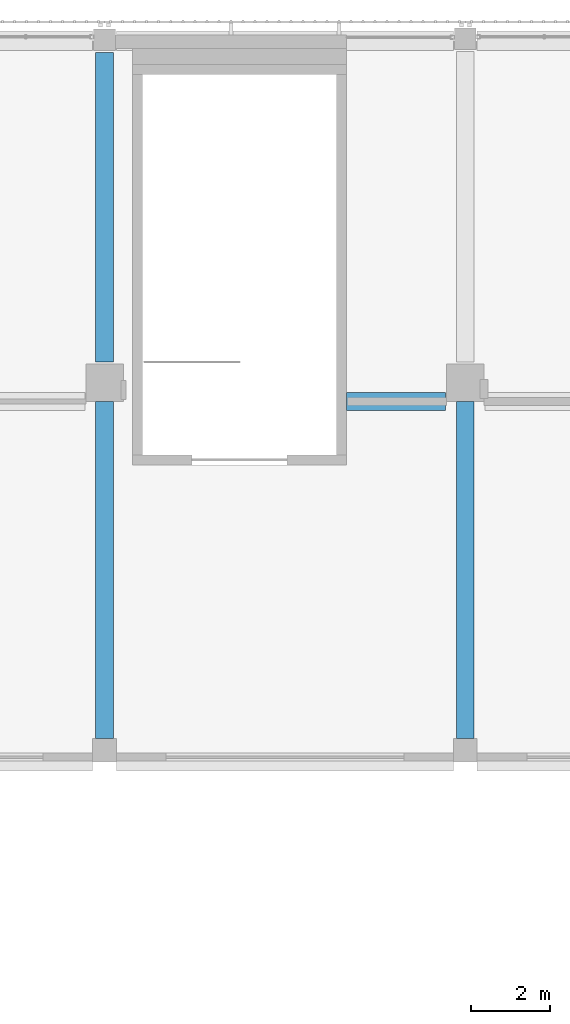
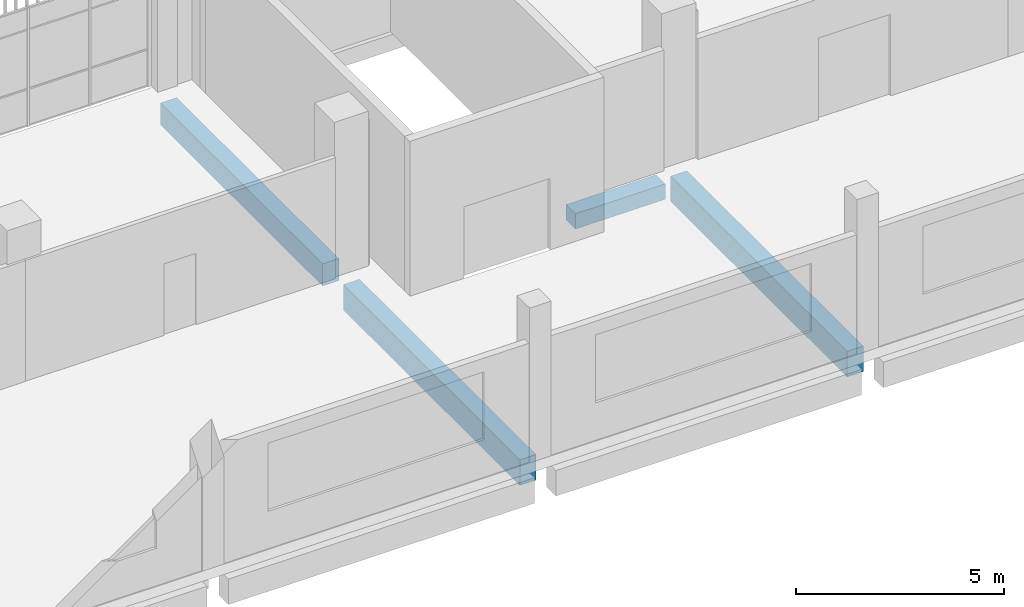
# One storey, part 32 of 104: 4 beams.
"""IFC4 building model written with IfcOpenShell, lengths in metres."""

from ifc_helpers import new_model, si_unit, direction, frame, origin, origin_2d, place, context, subcontext, project, spatial, rectangle, extrude, material, material_profile, profile_set, type_object, element, save


model = new_model("IFC4")

# Units and contexts
model_context = context("Model", 3, precision=1e-05, world=origin(), true_north=direction((0.0, 1.0)))
body_context = subcontext(model_context, "Body", "Model", "MODEL_VIEW")
ifc_project = project(units=[si_unit("LENGTHUNIT", "METRE"), si_unit("AREAUNIT", "SQUARE_METRE"), si_unit("VOLUMEUNIT", "CUBIC_METRE"), si_unit("PLANEANGLEUNIT", "RADIAN"), si_unit("MASSUNIT", "GRAM", prefix="KILO")], contexts=[model_context])

# Site, building, storey
site_placement = place(None, origin())
site = spatial("IfcSite", under=ifc_project, at=site_placement, CompositionType="ELEMENT")
building_placement = place(site_placement, origin())
building = spatial("IfcBuilding", under=site, at=building_placement, Name="Shirokan Park Arena", CompositionType="ELEMENT")
storey_placement = place(building_placement, frame((0.0, 0.0, 10.919921875)))
storey = spatial("IfcBuildingStorey", under=building, at=storey_placement, Name="L02", CompositionType="ELEMENT", Elevation=10.919921875)

# Beams
ifc_material = material(Name="Concrete C35", Category="concrete")
ifc_material_profile_1 = material_profile(ifc_material, rectangle(XDim=0.449951171875, YDim=0.64990234375, at=origin_2d()), Name="450x650")
ifc_profile_set_1 = profile_set([ifc_material_profile_1], Name="Concrete C35")
beam_type_1 = type_object("IfcBeamType", Name="RC girder 450x650", PredefinedType="BEAM", material=ifc_profile_set_1)
beam_1_placement = place(storey_placement, frame((81.89990234375, 101.10009765625, -0.625), z_axis=(0.0, 1.0, 0.0), x_axis=(-1.0, 0.0, 0.0)))
element("IfcBeam", 1, at=beam_1_placement, inside=storey, type_object=beam_type_1, Name="Girder 10M-10N L02", PredefinedType="BEAM", context=body_context, shape_type="SweptSolid", body=[
    extrude(rectangle(XDim=0.449951171875, YDim=0.64990234375, at=origin_2d()), origin(), (0.0, 0.0, 1.0), 7.7998046875),
])
ifc_material_profile_2 = material_profile(ifc_material, rectangle(XDim=0.449951171875, YDim=0.75, at=origin_2d()), Name="450x750")
ifc_profile_set_2 = profile_set([ifc_material_profile_2], Name="Concrete C35")
beam_type_2 = type_object("IfcBeamType", Name="RC girder 450x750", PredefinedType="BEAM", material=ifc_profile_set_2)
for number, where, z_axis, x_axis, name in (
    (2, (81.89990234375, 91.60009765625, -0.6748046875), (0.0, 1.0, 0.0), (-1.0, 0.0, 0.0), "Girder 10L-10M L02"),
    (3, (91.0, 91.60009765625, -0.6748046875), (0.0, 1.0, 0.0), (-1.0, 0.0, 0.0), "Girder 11L-11M L02"),
):
    element("IfcBeam", number, at=place(storey_placement, frame(where, z_axis=z_axis, x_axis=x_axis)), inside=storey, type_object=beam_type_2, Name=name, PredefinedType="BEAM", context=body_context, shape_type="SweptSolid", body=[
        extrude(rectangle(XDim=0.449951171875, YDim=0.75, at=origin_2d()), origin(), (0.0, 0.0, 1.0), 8.499755859375),
    ])
ifc_material_profile_3 = material_profile(ifc_material, rectangle(XDim=0.449951171875, YDim=0.449951171875, at=origin_2d()), Name="450x450")
ifc_profile_set_3 = profile_set([ifc_material_profile_3], Name="Concrete C35")
beam_type_3 = type_object("IfcBeamType", Name="RC trimmer 450x450", PredefinedType="BEAM", material=ifc_profile_set_3)
beam_2_placement = place(storey_placement, frame((88.0, 100.10009765625, -0.52490234375), z_axis=(1.0, 0.0, 0.0), x_axis=(0.0, 1.0, 0.0)))
element("IfcBeam", 4, at=beam_2_placement, inside=storey, type_object=beam_type_3, Name="Girder 10M-11M L02", PredefinedType="BEAM", context=body_context, shape_type="SweptSolid", body=[
    extrude(rectangle(XDim=0.449951171875, YDim=0.449951171875, at=origin_2d()), origin(), (0.0, 0.0, 1.0), 2.5),
])

save(model, "model.ifc")
